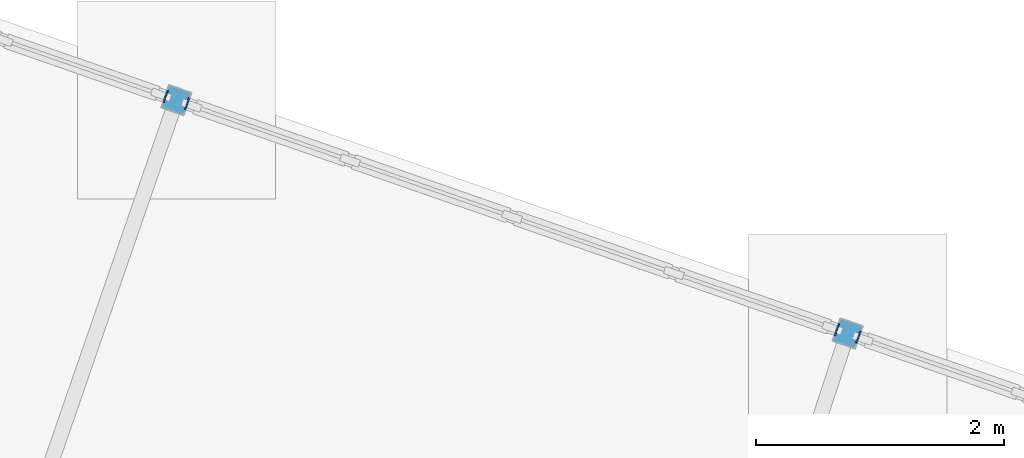
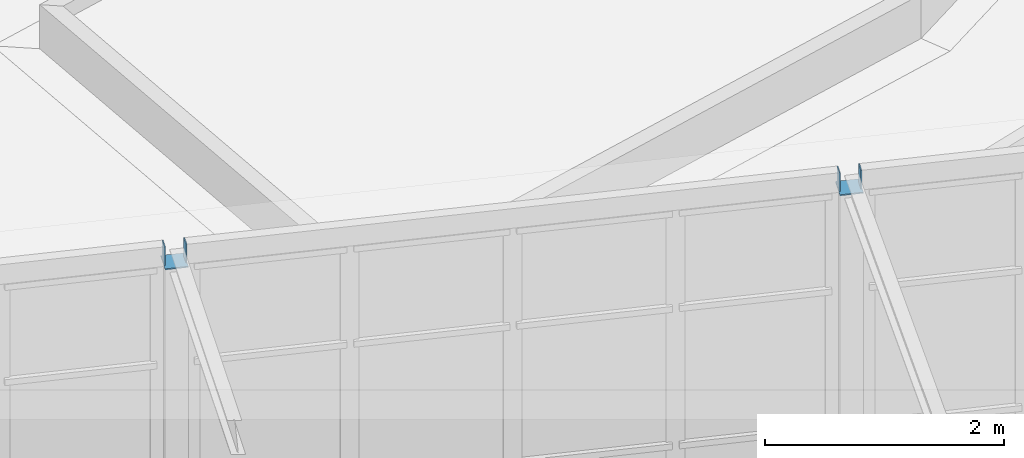
# One storey, part 194 of 226: 6 discrete accessories.
"""IFC4 building model written with IfcOpenShell, lengths in metres."""

from ifc_helpers import new_model, si_unit, direction, frame, origin, origin_2d, place, context, subcontext, project, spatial, rectangle, extrude, material, material_profile, profile_set, type_object, element, save


model = new_model("IFC4")

# Units and contexts
model_context = context("Model", 3, precision=1e-05, world=origin(), true_north=direction((0.0, 1.0)))
body_context = subcontext(model_context, "Body", "Model", "MODEL_VIEW")
ifc_project = project(units=[si_unit("LENGTHUNIT", "METRE"), si_unit("AREAUNIT", "SQUARE_METRE"), si_unit("VOLUMEUNIT", "CUBIC_METRE"), si_unit("PLANEANGLEUNIT", "RADIAN"), si_unit("MASSUNIT", "GRAM", prefix="KILO")], contexts=[model_context])

# Site, building, storey
site_placement = place(None, origin())
site = spatial("IfcSite", under=ifc_project, at=site_placement, CompositionType="ELEMENT")
building_placement = place(site_placement, origin())
building = spatial("IfcBuilding", under=site, at=building_placement, Name="Ceibo Conservatory and Research Tower", CompositionType="ELEMENT")
storey_placement = place(building_placement, origin())
storey = spatial("IfcBuildingStorey", under=building, at=storey_placement, Name="L00", CompositionType="ELEMENT", Elevation=0.0)

# Discrete accessories
ifc_material = material(Name="Steel S355J2", Category="steel")
ifc_material_profile_1 = material_profile(ifc_material, rectangle(XDim=0.10009765625, YDim=0.199951171875, at=origin_2d()), Name="End plate PL 200x100x8")
ifc_profile_set_1 = profile_set([ifc_material_profile_1], Name="Steel S355J2")
discrete_accessory_type_1 = type_object("IfcDiscreteAccessoryType", Name="End plate PL 200x100x8", PredefinedType="USERDEFINED", material=ifc_profile_set_1)
for number, where, z_axis, x_axis, name in (
    (1, (93.630859375, 60.6171875, 3.89990234375), (0.941194670762, -0.337864753607, 0.0), (0.337864753607, 0.941194670762, 0.0), "Gallery edge beam AUD-VC-EBN05 end plate"),
    (2, (93.8046875, 60.556640625, 3.89990234375), (0.948683298051, -0.316227766017, 0.0), (0.316227766017, 0.948683298051, 0.0), "Gallery edge beam AUD-VC-EBN06 end plate"),
):
    element("IfcDiscreteAccessory", number, at=place(storey_placement, frame(where, z_axis=z_axis, x_axis=x_axis)), inside=storey, type_object=discrete_accessory_type_1, Name=name, ObjectType="End plate", PredefinedType="USERDEFINED", context=body_context, shape_type="SweptSolid", body=[
        extrude(rectangle(XDim=0.10009765625, YDim=0.199951171875, at=origin_2d()), origin(), (0.0, 0.0, 1.0), 0.010009765625),
    ])
for number, where, z_axis, x_axis, name in (
    (3, (99.051513671875, 58.733154296875, 3.89990234375), (0.946163984953, -0.323687679063, 0.0), (0.323687679063, 0.946163984953, 0.0), "Gallery edge beam AUD-VC-EBN06 end plate"),
    (4, (99.225341796875, 58.6728515625, 3.89990234375), (0.938343116817, -0.345705358827, 0.0), (0.345705358827, 0.938343116817, 0.0), "Gallery edge beam AUD-VC-EBN07 end plate"),
):
    element("IfcDiscreteAccessory", number, at=place(storey_placement, frame(where, z_axis=z_axis, x_axis=x_axis)), inside=storey, type_object=discrete_accessory_type_1, Name=name, ObjectType="End plate", PredefinedType="USERDEFINED", context=body_context, shape_type="SweptSolid", body=[
        extrude(rectangle(XDim=0.10009765625, YDim=0.199951171875, at=origin_2d()), origin(), (0.0, 0.0, 1.0), 0.009765625),
    ])
ifc_material_profile_2 = material_profile(ifc_material, rectangle(XDim=0.199951171875, YDim=0.199951171875, at=origin_2d()), Name="End plate PL 200x200x10")
ifc_profile_set_2 = profile_set([ifc_material_profile_2], Name="Steel S355J2")
discrete_accessory_type_2 = type_object("IfcDiscreteAccessoryType", Name="End plate PL 200x200x10", PredefinedType="USERDEFINED", material=ifc_profile_set_2)
for number, where, z_axis, x_axis, name in (
    (5, (93.722412109375, 60.585205078125, 3.798095703125), (0.0, 0.0, 1.0), (0.944579236191, -0.328283515513, 0.0), "Gallery column AUD-VC-CN05 end plate"),
    (6, (99.14306640625, 58.701416015625, 3.798095703125), (0.0, 0.0, 1.0), (0.944579236191, -0.328283515513, 0.0), "Gallery column AUD-VC-CN06 end plate"),
):
    element("IfcDiscreteAccessory", number, at=place(storey_placement, frame(where, z_axis=z_axis, x_axis=x_axis)), inside=storey, type_object=discrete_accessory_type_2, Name=name, ObjectType="End plate", PredefinedType="USERDEFINED", context=body_context, shape_type="SweptSolid", body=[
        extrude(rectangle(XDim=0.199951171875, YDim=0.199951171875, at=origin_2d()), origin(), (0.0, 0.0, 1.0), 0.011962890625),
    ])

save(model, "model.ifc")
